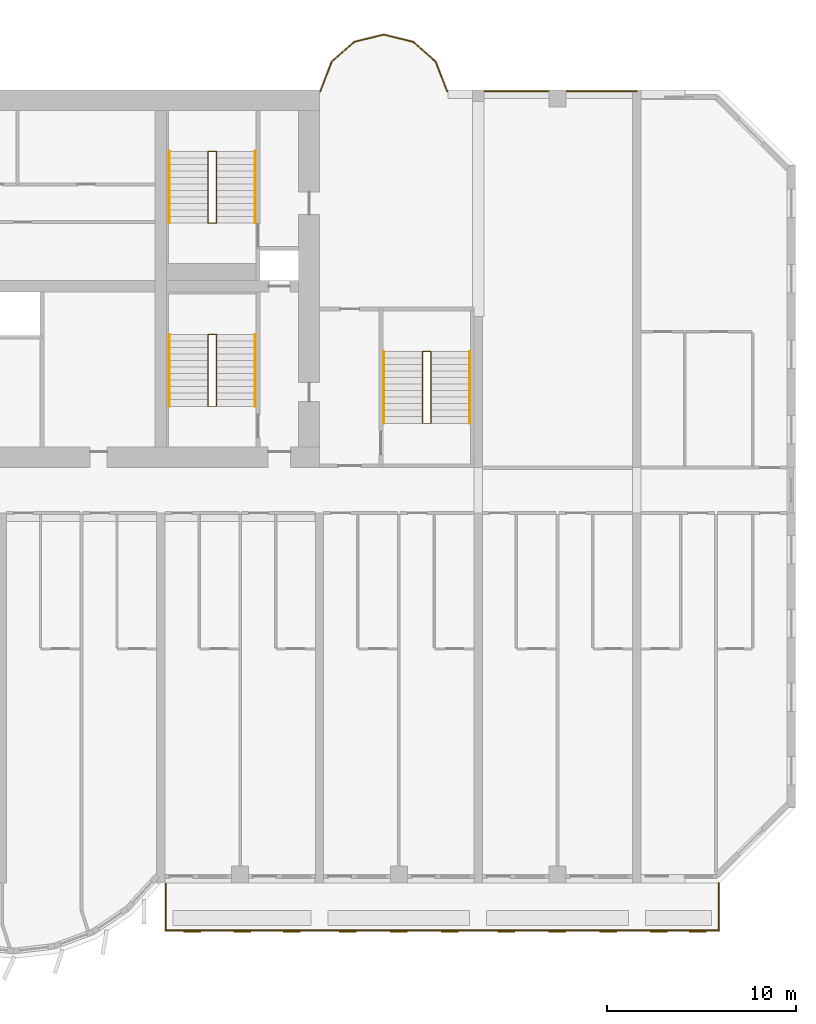
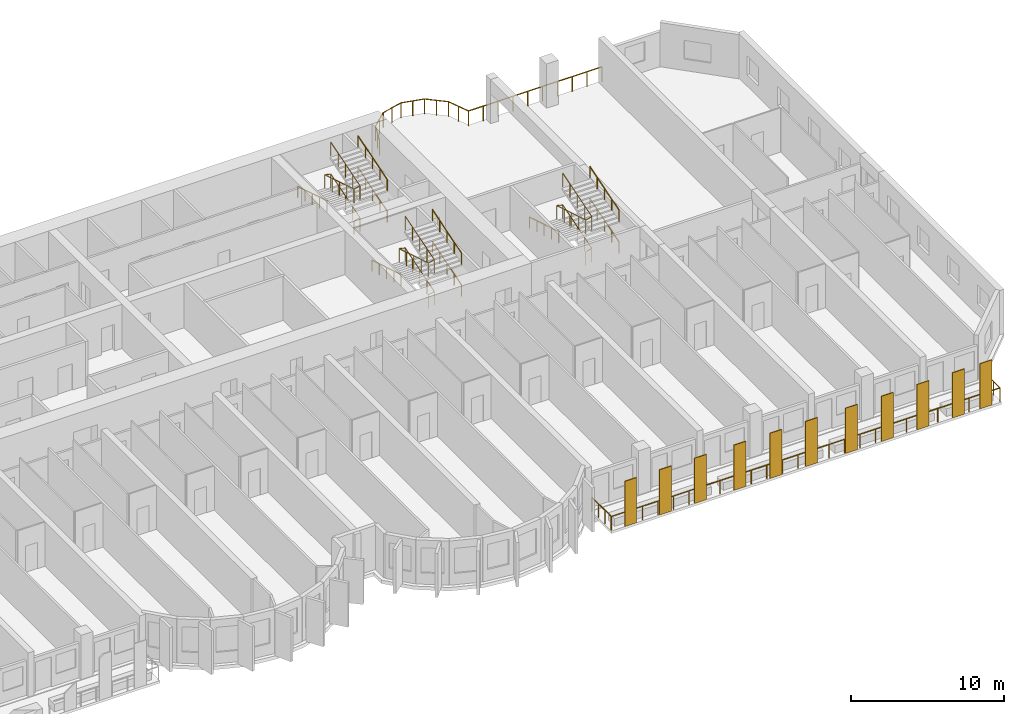
# One storey, part 13 of 14: 14 railings, 11 coverings.
"""IFC4 building model written with IfcOpenShell, lengths in metres."""

import ifcopenshell
import ifcopenshell.guid

model = None  # the IFC model being written
_history = None  # IfcOwnerHistory: only IFC2X3 demands one
_inside = {}  # id of a spatial element -> (the spatial element, [elements in it])
_under = {}  # id of a project, library or spatial element -> (it, [spatial elements below it])
_declared = {}  # id of a project -> (the project, [libraries it declares])
_typed = {}  # id of a type object -> (the type object, [elements of that type])
_made_of = {}  # id of a material, layer set ... -> (it, [elements and type objects made of it])


def new_model(schema):
    """Start an empty IFC model of exactly this schema.

    Asked for "IFC4X3", IfcOpenShell would pick the latest addendum, in which some entities
    have other attributes; the version numbers below select the first issue.
    IFC2X3 requires an IfcOwnerHistory on every rooted entity: one is made here for all.
    """
    global model, _history
    if schema == "IFC4X3":
        model = ifcopenshell.file(schema_version=(4, 3, 0, 0))
    else:
        model = ifcopenshell.file(schema=schema)
    _inside.clear()
    _under.clear()
    _declared.clear()
    _typed.clear()
    _made_of.clear()
    _history = None
    if model.schema == "IFC2X3":
        org = make("IfcOrganization", Name="unknown")
        user = make(
            "IfcPersonAndOrganization",
            ThePerson=make("IfcPerson", FamilyName="unknown"),
            TheOrganization=org,
        )
        app = make(
            "IfcApplication",
            ApplicationDeveloper=org,
            Version="unknown",
            ApplicationFullName="unknown",
            ApplicationIdentifier="unknown",
        )
        _history = make(
            "IfcOwnerHistory",
            OwningUser=user,
            OwningApplication=app,
            ChangeAction="ADDED",
            CreationDate=0,
        )
    return model


def make(cls, **values):
    """One entity of the class cls with the attributes given. An attribute that is None is left unset."""
    return model.create_entity(
        cls, **{name: value for name, value in values.items() if value is not None}
    )


def rooted(cls, **values):
    """An entity with a GlobalId (a new one), such as an element, a storey or a relation."""
    return make(cls, GlobalId=ifcopenshell.guid.new(), OwnerHistory=_history, **values)


def si_unit(unit_type, name, prefix=None):
    """IfcSIUnit, for example si_unit("LENGTHUNIT", "METRE", prefix="MILLI")."""
    return make("IfcSIUnit", UnitType=unit_type, Prefix=prefix, Name=name)


def assignment(units):
    """IfcUnitAssignment: the units of a project."""
    return None if units is None else make("IfcUnitAssignment", Units=units)


def point(xyz):
    """IfcCartesianPoint."""
    return None if xyz is None else make("IfcCartesianPoint", Coordinates=xyz)


def direction(xyz):
    """IfcDirection."""
    return None if xyz is None else make("IfcDirection", DirectionRatios=xyz)


def frame(location, z_axis=None, x_axis=None):
    """IfcAxis2Placement3D, a coordinate frame: its origin and axes. An axis left out is left unset."""
    return make(
        "IfcAxis2Placement3D",
        Location=point(location),
        Axis=direction(z_axis),
        RefDirection=direction(x_axis),
    )


def frame_2d(location, x_axis=None):
    """IfcAxis2Placement2D, a coordinate frame in the plane: its origin and x axis."""
    return make(
        "IfcAxis2Placement2D", Location=point(location), RefDirection=direction(x_axis)
    )


def origin():
    """The frame at (0, 0, 0) with its axes left unset."""
    return frame((0.0, 0.0, 0.0))


def origin_2d():
    """The frame at (0, 0) in the plane with its x axis left unset."""
    return frame_2d((0.0, 0.0))


def place(relative_to, where):
    """IfcLocalPlacement: puts the frame where relative to a parent placement (None: the world)."""
    return make(
        "IfcLocalPlacement", PlacementRelTo=relative_to, RelativePlacement=where
    )


def context(
    kind, dimensions, precision=None, world=None, true_north=None, identifier=None
):
    """IfcGeometricRepresentationContext, for example the 3D "Model" context."""
    return make(
        "IfcGeometricRepresentationContext",
        ContextIdentifier=identifier,
        ContextType=kind,
        CoordinateSpaceDimension=dimensions,
        Precision=precision,
        WorldCoordinateSystem=world,
        TrueNorth=true_north,
    )


def subcontext(parent, identifier, kind, view, scale=None):
    """IfcGeometricRepresentationSubContext, for example "Body" below "Model"."""
    return make(
        "IfcGeometricRepresentationSubContext",
        ContextIdentifier=identifier,
        ContextType=kind,
        ParentContext=parent,
        TargetScale=scale,
        TargetView=view,
    )


def project(units=None, contexts=None):
    """IfcProject with its units and contexts."""
    return rooted(
        "IfcProject",
        Name="project",
        RepresentationContexts=contexts,
        UnitsInContext=assignment(units),
    )


def spatial(cls, under=None, at=None, **own):
    """A site, building, storey or space (cls), placed at a placement, below another one or the project."""
    s = rooted(cls, ObjectPlacement=at, **own)
    if under is not None:
        _under.setdefault(under.id(), (under, []))[1].append(s)
    return s


def profile(cls, at=None, kind="AREA", **sizes):
    """A parametric profile (cls). Its sizes go by their IFC names, for example OverallWidth=200.0."""
    return make(cls, ProfileType=kind, Position=at, **sizes)


def rectangle(**sizes):
    """IfcRectangleProfileDef."""
    return profile("IfcRectangleProfileDef", **sizes)


def circle(**sizes):
    """IfcCircleProfileDef."""
    return profile("IfcCircleProfileDef", **sizes)


def extrude(swept, where, along, depth):
    """IfcExtrudedAreaSolid: the profile swept, set in the frame where, extruded along a direction by depth."""
    return make(
        "IfcExtrudedAreaSolid",
        SweptArea=swept,
        Position=where,
        ExtrudedDirection=direction(along),
        Depth=depth,
    )


def shape(context_of_items, identifier, shape_type, items):
    """IfcShapeRepresentation: the items that make up one representation, for example the "Body"."""
    return make(
        "IfcShapeRepresentation",
        ContextOfItems=context_of_items,
        RepresentationIdentifier=identifier,
        RepresentationType=shape_type,
        Items=items,
    )


def source(mapping_origin, context_of_items, identifier, shape_type, items):
    """IfcRepresentationMap: a shape defined once, which mapped items show again and again."""
    return make(
        "IfcRepresentationMap",
        MappingOrigin=mapping_origin,
        MappedRepresentation=shape(context_of_items, identifier, shape_type, items),
    )


def transform(
    local_origin,
    x_axis=None,
    y_axis=None,
    z_axis=None,
    scale=None,
    scale2=None,
    scale3=None,
    uniform=True,
):
    """IfcCartesianTransformationOperator3D, or its non-uniform kind. x_axis, y_axis, z_axis: its Axis1, 2, 3."""
    if uniform:
        return make(
            "IfcCartesianTransformationOperator3D",
            Axis1=direction(x_axis),
            Axis2=direction(y_axis),
            LocalOrigin=point(local_origin),
            Scale=scale,
            Axis3=direction(z_axis),
        )
    return make(
        "IfcCartesianTransformationOperator3DnonUniform",
        Axis1=direction(x_axis),
        Axis2=direction(y_axis),
        LocalOrigin=point(local_origin),
        Scale=scale,
        Axis3=direction(z_axis),
        Scale2=scale2,
        Scale3=scale3,
    )


def mapped(mapping_source, mapping_target):
    """IfcMappedItem: shows the shape of a source again, moved by a transform."""
    return make(
        "IfcMappedItem", MappingSource=mapping_source, MappingTarget=mapping_target
    )


def material(Name=None, Category=None):
    """IfcMaterial."""
    return make("IfcMaterial", Name=Name, Category=Category)


def layer(
    of_material, thickness, ventilated=None, Name=None, Category=None, Priority=None
):
    """IfcMaterialLayer: one layer of a wall or slab, of a material (None: an air gap)."""
    return make(
        "IfcMaterialLayer",
        Material=of_material,
        LayerThickness=thickness,
        IsVentilated=ventilated,
        Name=Name,
        Category=Category,
        Priority=Priority,
    )


def layer_set(layers, Name=None):
    """IfcMaterialLayerSet."""
    return make("IfcMaterialLayerSet", MaterialLayers=layers, LayerSetName=Name)


def made_of(thing, what):
    """Note that an element or type object is made of a material, layer set ...; save() writes the relation."""
    if what is not None:
        _made_of.setdefault(what.id(), (what, []))[1].append(thing)
    return thing


def type_object(cls, material=None, **own):
    """A type object (cls), such as IfcWallType, which elements share."""
    return made_of(rooted(cls, **own), material)


def element(
    cls,
    number,
    at=None,
    inside=None,
    cuts=None,
    type_object=None,
    material=None,
    context=None,
    identifier="Body",
    shape_type=None,
    held_by="IfcProductDefinitionShape",
    body=None,
    shapes=None,
    **own,
):
    """One element of the class cls, such as IfcWall. Its Tag is "e" and its number.

    at: its placement. inside: the storey or other place that contains it. cuts: it is an
    opening in that element (IfcRelVoidsElement). A single representation is given by context,
    identifier, shape_type and body (its items); several are given by shapes. held_by: the class
    of the entity that holds the representations. save() writes the other relations.
    """
    e = rooted(cls, Tag="e%d" % number, ObjectPlacement=at, **own)
    if body is not None:
        shapes = [shape(context, identifier, shape_type, body)]
    if shapes is not None:
        e.Representation = make(held_by, Representations=shapes)
    if inside is not None:
        _inside.setdefault(inside.id(), (inside, []))[1].append(e)
    if cuts is not None:
        rooted(
            "IfcRelVoidsElement", RelatingBuildingElement=cuts, RelatedOpeningElement=e
        )
    if type_object is not None:
        _typed.setdefault(type_object.id(), (type_object, []))[1].append(e)
    return made_of(e, material)


def aggregate(whole, parts):
    """IfcRelAggregates: a whole, such as a stair, and the parts it consists of."""
    return rooted("IfcRelAggregates", RelatingObject=whole, RelatedObjects=parts)


def save(model, path):
    """Write the relations noted so far, then the file.

    IfcRelAggregates (storeys below a building ...), IfcRelContainedInSpatialStructure (elements
    in a storey), IfcRelDefinesByType, IfcRelAssociatesMaterial and IfcRelDeclares: one each for
    every whole, place, type object, material and project.
    """
    for whole, parts in _under.values():
        aggregate(whole, parts)
    for where, things in _inside.values():
        rooted(
            "IfcRelContainedInSpatialStructure",
            RelatedElements=things,
            RelatingStructure=where,
        )
    for kind, things in _typed.values():
        rooted("IfcRelDefinesByType", RelatedObjects=things, RelatingType=kind)
    for what, things in _made_of.values():
        rooted("IfcRelAssociatesMaterial", RelatedObjects=things, RelatingMaterial=what)
    for by, libraries in _declared.values():
        rooted("IfcRelDeclares", RelatingContext=by, RelatedDefinitions=libraries)
    model.write(path)


model = new_model("IFC4")

# Units and contexts
model_context = context("Model", 3, precision=1e-05, world=origin(), true_north=direction((0.0, 1.0)))
body_context = subcontext(model_context, "Body", "Model", "MODEL_VIEW")
ifc_project = project(units=[si_unit("LENGTHUNIT", "METRE"), si_unit("AREAUNIT", "SQUARE_METRE"), si_unit("VOLUMEUNIT", "CUBIC_METRE"), si_unit("PLANEANGLEUNIT", "RADIAN"), si_unit("MASSUNIT", "GRAM", prefix="KILO")], contexts=[model_context])

# Site, building, storey
site_placement = place(None, origin())
site = spatial("IfcSite", under=ifc_project, at=site_placement, CompositionType="ELEMENT")
building_placement = place(site_placement, origin())
building = spatial("IfcBuilding", under=site, at=building_placement, Name="Vanashikhar Sky Hotel", CompositionType="ELEMENT")
storey_placement = place(building_placement, frame((0.0, 0.0, 27.800048828125)))
storey = spatial("IfcBuildingStorey", under=building, at=storey_placement, Name="L05", CompositionType="ELEMENT", Elevation=27.800048828125)

# Railing
ifc_material_1 = material(Name="Stainless steel 316", Category="steel")
railing_type_1 = type_object("IfcRailingType", Name="Balcony guard 1100", PredefinedType="GUARDRAIL", material=ifc_material_1)
shared_shape_1 = source(origin(), body_context, "Body", "SweptSolid", [
    extrude(circle(Radius=0.02392578125, at=origin_2d()), frame((0.0, 0.0, 1.076171875), z_axis=(0.0, -1.0, 0.0), x_axis=(1.0, 0.0, 0.0)), (0.0, 0.0, 1.0), 2.5),
    extrude(circle(Radius=0.02392578125, at=origin_2d()), frame((0.0, -2.5, 1.076171875), z_axis=(1.0, 0.0, 0.0), x_axis=(0.0, 1.0, 0.0)), (0.0, 0.0, 1.0), 29.280029296875),
    extrude(circle(Radius=0.02392578125, at=origin_2d()), frame((29.280029296875, -2.5, 1.076171875), z_axis=(0.0, 1.0, 0.0), x_axis=(-1.0, 0.0, 0.0)), (0.0, 0.0, 1.0), 2.5),
    extrude(circle(Radius=0.02099609375, at=origin_2d()), origin(), (0.0, 0.0, 1.0), 1.052001953125),
    extrude(circle(Radius=0.02099609375, at=origin_2d()), frame((0.0, -0.833251953125, 0.0)), (0.0, 0.0, 1.0), 1.052001953125),
    extrude(circle(Radius=0.02099609375, at=origin_2d()), frame((0.0, -1.666748046875, 0.0)), (0.0, 0.0, 1.0), 1.052001953125),
    extrude(circle(Radius=0.02099609375, at=origin_2d()), frame((0.0, -2.5, 0.0)), (0.0, 0.0, 1.0), 1.052001953125),
    extrude(circle(Radius=0.02099609375, at=origin_2d()), frame((1.171142578125, -2.5, 0.0)), (0.0, 0.0, 1.0), 1.052001953125),
    extrude(circle(Radius=0.02099609375, at=origin_2d()), frame((2.34228515625, -2.5, 0.0)), (0.0, 0.0, 1.0), 1.052001953125),
    extrude(circle(Radius=0.02099609375, at=origin_2d()), frame((3.513671875, -2.5, 0.0)), (0.0, 0.0, 1.0), 1.052001953125),
    extrude(circle(Radius=0.02099609375, at=origin_2d()), frame((4.684814453125, -2.5, 0.0)), (0.0, 0.0, 1.0), 1.052001953125),
    extrude(circle(Radius=0.02099609375, at=origin_2d()), frame((5.85595703125, -2.5, 0.0)), (0.0, 0.0, 1.0), 1.052001953125),
    extrude(circle(Radius=0.02099609375, at=origin_2d()), frame((7.027099609375, -2.5, 0.0)), (0.0, 0.0, 1.0), 1.052001953125),
    extrude(circle(Radius=0.02099609375, at=origin_2d()), frame((8.198486328125, -2.5, 0.0)), (0.0, 0.0, 1.0), 1.052001953125),
    extrude(circle(Radius=0.02099609375, at=origin_2d()), frame((9.36962890625, -2.5, 0.0)), (0.0, 0.0, 1.0), 1.052001953125),
    extrude(circle(Radius=0.02099609375, at=origin_2d()), frame((10.540771484375, -2.5, 0.0)), (0.0, 0.0, 1.0), 1.052001953125),
    extrude(circle(Radius=0.02099609375, at=origin_2d()), frame((11.7119140625, -2.5, 0.0)), (0.0, 0.0, 1.0), 1.052001953125),
    extrude(circle(Radius=0.02099609375, at=origin_2d()), frame((12.88330078125, -2.5, 0.0)), (0.0, 0.0, 1.0), 1.052001953125),
    extrude(circle(Radius=0.02099609375, at=origin_2d()), frame((14.054443359375, -2.5, 0.0)), (0.0, 0.0, 1.0), 1.052001953125),
    extrude(circle(Radius=0.02099609375, at=origin_2d()), frame((15.2255859375, -2.5, 0.0)), (0.0, 0.0, 1.0), 1.052001953125),
    extrude(circle(Radius=0.02099609375, at=origin_2d()), frame((16.396728515625, -2.5, 0.0)), (0.0, 0.0, 1.0), 1.052001953125),
    extrude(circle(Radius=0.02099609375, at=origin_2d()), frame((17.568115234375, -2.5, 0.0)), (0.0, 0.0, 1.0), 1.052001953125),
    extrude(circle(Radius=0.02099609375, at=origin_2d()), frame((18.7392578125, -2.5, 0.0)), (0.0, 0.0, 1.0), 1.052001953125),
    extrude(circle(Radius=0.02099609375, at=origin_2d()), frame((19.910400390625, -2.5, 0.0)), (0.0, 0.0, 1.0), 1.052001953125),
    extrude(circle(Radius=0.02099609375, at=origin_2d()), frame((21.08154296875, -2.5, 0.0)), (0.0, 0.0, 1.0), 1.052001953125),
    extrude(circle(Radius=0.02099609375, at=origin_2d()), frame((22.2529296875, -2.5, 0.0)), (0.0, 0.0, 1.0), 1.052001953125),
    extrude(circle(Radius=0.02099609375, at=origin_2d()), frame((23.424072265625, -2.5, 0.0)), (0.0, 0.0, 1.0), 1.052001953125),
    extrude(circle(Radius=0.02099609375, at=origin_2d()), frame((24.59521484375, -2.5, 0.0)), (0.0, 0.0, 1.0), 1.052001953125),
    extrude(circle(Radius=0.02099609375, at=origin_2d()), frame((25.766357421875, -2.5, 0.0)), (0.0, 0.0, 1.0), 1.052001953125),
    extrude(circle(Radius=0.02099609375, at=origin_2d()), frame((26.937744140625, -2.5, 0.0)), (0.0, 0.0, 1.0), 1.052001953125),
    extrude(circle(Radius=0.02099609375, at=origin_2d()), frame((28.10888671875, -2.5, 0.0)), (0.0, 0.0, 1.0), 1.052001953125),
    extrude(circle(Radius=0.02099609375, at=origin_2d()), frame((29.280029296875, -2.5, 0.0)), (0.0, 0.0, 1.0), 1.052001953125),
    extrude(circle(Radius=0.02099609375, at=origin_2d()), frame((29.280029296875, -1.666748046875, 0.0)), (0.0, 0.0, 1.0), 1.052001953125),
    extrude(circle(Radius=0.02099609375, at=origin_2d()), frame((29.280029296875, -0.833251953125, 0.0)), (0.0, 0.0, 1.0), 1.052001953125),
    extrude(circle(Radius=0.02099609375, at=origin_2d()), frame((29.280029296875, 0.0, 0.0)), (0.0, 0.0, 1.0), 1.052001953125),
])
railing_1_placement = place(storey_placement, frame((67.4599609375, 0.0, -0.050048828125)))
element("IfcRailing", 1, at=railing_1_placement, inside=storey, type_object=railing_type_1, Name="Balcony guard", PredefinedType="GUARDRAIL", context=body_context, shape_type="MappedRepresentation", body=[
    mapped(shared_shape_1, transform((0.0, 0.0, 0.0), scale=1.0)),
])

# Coverings
ifc_material_2 = material(Name="Terracotta", Category="masonry")
ifc_layer = layer(ifc_material_2, 0.06005859375)
ifc_layer_set = layer_set([ifc_layer], Name="Terracotta baguette screen")
covering_type = type_object("IfcCoveringType", Name="Terracotta baguette screen", PredefinedType="CLADDING", material=ifc_layer_set)
shared_shape_2 = source(origin(), body_context, "Body", "SweptSolid", [
    extrude(rectangle(XDim=0.89990234375, YDim=0.06005859375, at=origin_2d()), origin(), (0.0, 0.0, 1.0), 3.60009765625),
])
for number, where, z_axis, x_axis, name in (
    (2, (68.86669921875, -2.570068359375, -0.050048828125), (0.0, 0.0, 1.0), (1.0, 0.0, 0.0), "Terracotta screen"),
    (3, (71.5, -2.570068359375, -0.050048828125), (0.0, 0.0, 1.0), (1.0, 0.0, 0.0), "Terracotta screen"),
    (4, (74.13330078125, -2.570068359375, -0.050048828125), (0.0, 0.0, 1.0), (1.0, 0.0, 0.0), "Terracotta screen"),
    (5, (77.10009765625, -2.570068359375, -0.050048828125), (0.0, 0.0, 1.0), (1.0, 0.0, 0.0), "Terracotta screen"),
    (6, (79.800048828125, -2.570068359375, -0.050048828125), (0.0, 0.0, 1.0), (1.0, 0.0, 0.0), "Terracotta screen"),
    (7, (82.5, -2.570068359375, -0.050048828125), (0.0, 0.0, 1.0), (1.0, 0.0, 0.0), "Terracotta screen"),
    (8, (85.5, -2.570068359375, -0.050048828125), (0.0, 0.0, 1.0), (1.0, 0.0, 0.0), "Terracotta screen"),
    (9, (88.199951171875, -2.570068359375, -0.050048828125), (0.0, 0.0, 1.0), (1.0, 0.0, 0.0), "Terracotta screen"),
    (10, (90.89990234375, -2.570068359375, -0.050048828125), (0.0, 0.0, 1.0), (1.0, 0.0, 0.0), "Terracotta screen"),
    (11, (93.574951171875, -2.570068359375, -0.050048828125), (0.0, 0.0, 1.0), (1.0, 0.0, 0.0), "Terracotta screen"),
    (12, (95.625, -2.570068359375, -0.050048828125), (0.0, 0.0, 1.0), (1.0, 0.0, 0.0), "Terracotta screen"),
):
    element("IfcCovering", number, at=place(storey_placement, frame(where, z_axis=z_axis, x_axis=x_axis)), inside=storey, type_object=covering_type, Name=name, PredefinedType="CLADDING", context=body_context, shape_type="MappedRepresentation", body=[
        mapped(shared_shape_2, transform((0.0, 0.0, 0.0), scale=1.0)),
    ])

# Railings
railing_type_2 = type_object("IfcRailingType", Name="Refuge terrace guard 1200", PredefinedType="GUARDRAIL", material=ifc_material_1)
shared_shape_3 = source(origin(), body_context, "Body", "SweptSolid", [
    extrude(circle(Radius=0.02392578125, at=origin_2d()), frame((0.0, 0.0, 1.17578125), z_axis=(-1.0, 0.0, 0.0), x_axis=(0.0, -1.0, 0.0)), (0.0, 0.0, 1.0), 10.048095703125),
    extrude(circle(Radius=0.02392578125, at=origin_2d()), frame((-10.048095703125, 0.0, 1.17578125), z_axis=(-0.357682612009, 0.933843214392, 0.0), x_axis=(-0.933843214392, -0.357682612009, 0.0)), (0.0, 0.0, 1.0), 1.666015625),
    extrude(circle(Radius=0.02392578125, at=origin_2d()), frame((-10.64404296875, 1.555908203125, 1.17578125), z_axis=(-0.749699987355, 0.661777854692, 0.0), x_axis=(-0.661777854692, -0.749699987355, 0.0)), (0.0, 0.0, 1.0), 1.602294921875),
    extrude(circle(Radius=0.02392578125, at=origin_2d()), frame((-11.84521484375, 2.6162109375, 1.17578125), z_axis=(-0.971138901218, 0.238514642196, 0.0), x_axis=(-0.238514642196, -0.971138901218, 0.0)), (0.0, 0.0, 1.0), 1.600830078125),
    extrude(circle(Radius=0.02392578125, at=origin_2d()), frame((-13.39990234375, 2.998046875, 1.17578125), z_axis=(-0.971138901218, -0.238514642196, 0.0), x_axis=(0.238514642196, -0.971138901218, 0.0)), (0.0, 0.0, 1.0), 1.600830078125),
    extrude(circle(Radius=0.02392578125, at=origin_2d()), frame((-14.95458984375, 2.6162109375, 1.17578125), z_axis=(-0.749699987355, -0.661777854692, 0.0), x_axis=(0.661777854692, -0.749699987355, 0.0)), (0.0, 0.0, 1.0), 1.602294921875),
    extrude(circle(Radius=0.02392578125, at=origin_2d()), frame((-16.15576171875, 1.555908203125, 1.17578125), z_axis=(-0.357682612009, -0.933843214392, 0.0), x_axis=(0.933843214392, -0.357682612009, 0.0)), (0.0, 0.0, 1.0), 1.666015625),
    extrude(circle(Radius=0.02099609375, at=origin_2d()), origin(), (0.0, 0.0, 1.0), 1.15185546875),
    extrude(circle(Radius=0.02099609375, at=origin_2d()), frame((-1.116455078125, 0.0, 0.0)), (0.0, 0.0, 1.0), 1.15185546875),
    extrude(circle(Radius=0.02099609375, at=origin_2d()), frame((-2.23291015625, 0.0, 0.0)), (0.0, 0.0, 1.0), 1.15185546875),
    extrude(circle(Radius=0.02099609375, at=origin_2d()), frame((-3.349365234375, 0.0, 0.0)), (0.0, 0.0, 1.0), 1.15185546875),
    extrude(circle(Radius=0.02099609375, at=origin_2d()), frame((-4.4658203125, 0.0, 0.0)), (0.0, 0.0, 1.0), 1.15185546875),
    extrude(circle(Radius=0.02099609375, at=origin_2d()), frame((-5.582275390625, 0.0, 0.0)), (0.0, 0.0, 1.0), 1.15185546875),
    extrude(circle(Radius=0.02099609375, at=origin_2d()), frame((-6.69873046875, 0.0, 0.0)), (0.0, 0.0, 1.0), 1.15185546875),
    extrude(circle(Radius=0.02099609375, at=origin_2d()), frame((-7.815185546875, 0.0, 0.0)), (0.0, 0.0, 1.0), 1.15185546875),
    extrude(circle(Radius=0.02099609375, at=origin_2d()), frame((-8.931640625, 0.0, 0.0)), (0.0, 0.0, 1.0), 1.15185546875),
    extrude(circle(Radius=0.02099609375, at=origin_2d()), frame((-10.048095703125, 0.0, 0.0)), (0.0, 0.0, 1.0), 1.15185546875),
    extrude(circle(Radius=0.02099609375, at=origin_2d()), frame((-10.34619140625, 0.77783203125, 0.0)), (0.0, 0.0, 1.0), 1.15185546875),
    extrude(circle(Radius=0.02099609375, at=origin_2d()), frame((-10.64404296875, 1.555908203125, 0.0)), (0.0, 0.0, 1.0), 1.15185546875),
    extrude(circle(Radius=0.02099609375, at=origin_2d()), frame((-11.24462890625, 2.0859375, 0.0)), (0.0, 0.0, 1.0), 1.15185546875),
    extrude(circle(Radius=0.02099609375, at=origin_2d()), frame((-11.84521484375, 2.6162109375, 0.0)), (0.0, 0.0, 1.0), 1.15185546875),
    extrude(circle(Radius=0.02099609375, at=origin_2d()), frame((-12.62255859375, 2.80712890625, 0.0)), (0.0, 0.0, 1.0), 1.15185546875),
    extrude(circle(Radius=0.02099609375, at=origin_2d()), frame((-13.39990234375, 2.998046875, 0.0)), (0.0, 0.0, 1.0), 1.15185546875),
    extrude(circle(Radius=0.02099609375, at=origin_2d()), frame((-14.17724609375, 2.80712890625, 0.0)), (0.0, 0.0, 1.0), 1.15185546875),
    extrude(circle(Radius=0.02099609375, at=origin_2d()), frame((-14.95458984375, 2.6162109375, 0.0)), (0.0, 0.0, 1.0), 1.15185546875),
    extrude(circle(Radius=0.02099609375, at=origin_2d()), frame((-15.55517578125, 2.0859375, 0.0)), (0.0, 0.0, 1.0), 1.15185546875),
    extrude(circle(Radius=0.02099609375, at=origin_2d()), frame((-16.15576171875, 1.555908203125, 0.0)), (0.0, 0.0, 1.0), 1.15185546875),
    extrude(circle(Radius=0.02099609375, at=origin_2d()), frame((-16.45361328125, 0.77783203125, 0.0)), (0.0, 0.0, 1.0), 1.15185546875),
    extrude(circle(Radius=0.02099609375, at=origin_2d()), frame((-16.751708984375, 0.0, 0.0)), (0.0, 0.0, 1.0), 1.15185546875),
])
railing_2_placement = place(storey_placement, frame((92.39990234375, 41.929931640625, 0.0)))
element("IfcRailing", 13, at=railing_2_placement, inside=storey, type_object=railing_type_2, Name="Refuge terrace guard", PredefinedType="GUARDRAIL", context=body_context, shape_type="MappedRepresentation", body=[
    mapped(shared_shape_3, transform((0.0, 0.0, 0.0), scale=1.0)),
])
ifc_material_3 = material(Name="Steel S355", Category="steel")
railing_type_3 = type_object("IfcRailingType", Name="Stair handrail 900", PredefinedType="HANDRAIL", material=ifc_material_3)
shared_shape_4 = source(origin(), body_context, "Body", "SweptSolid", [
    extrude(circle(Radius=0.02392578125, at=origin_2d()), frame((0.0, 0.0, 0.8759765625), z_axis=(0.0, 0.95635109408, 0.292220096591), x_axis=(-1.0, 0.0, 0.0)), (0.0, 0.0, 1.0), 3.973388671875),
    extrude(circle(Radius=0.02099609375, at=origin_2d()), origin(), (0.0, 0.0, 1.0), 0.851806640625),
    extrude(circle(Radius=0.02099609375, at=origin_2d()), frame((0.0, 0.949951171875, 0.290283203125)), (0.0, 0.0, 1.0), 0.851806640625),
    extrude(circle(Radius=0.02099609375, at=origin_2d()), frame((0.0, 1.89990234375, 0.58056640625)), (0.0, 0.0, 1.0), 0.851806640625),
    extrude(circle(Radius=0.02099609375, at=origin_2d()), frame((0.0, 2.85009765625, 0.870849609375)), (0.0, 0.0, 1.0), 0.851806640625),
    extrude(circle(Radius=0.02099609375, at=origin_2d()), frame((0.0, 3.800048828125, 1.1611328125)), (0.0, 0.0, 1.0), 0.851806640625),
])
for number, where, name in (
    (14, (72.199951171875, 25.25, 0.10546875), "Exit stair 2 handrail"),
    (15, (72.199951171875, 25.25, 2.638916015625), "Exit stair 2 handrail"),
    (16, (72.199951171875, 34.949951171875, 0.10546875), "Exit stair 6 handrail"),
    (17, (72.199951171875, 34.949951171875, 2.638916015625), "Exit stair 6 handrail"),
):
    element("IfcRailing", number, at=place(storey_placement, frame(where)), inside=storey, type_object=railing_type_3, Name=name, PredefinedType="HANDRAIL", context=body_context, shape_type="MappedRepresentation", body=[
        mapped(shared_shape_4, transform((0.0, 0.0, 0.0), scale=1.0)),
    ])
shared_shape_5 = source(origin(), body_context, "Body", "SweptSolid", [
    extrude(circle(Radius=0.02392578125, at=origin_2d()), frame((0.0, 0.0, 0.8759765625), z_axis=(0.0, -0.95635109408, 0.292220096591), x_axis=(1.0, 0.0, 0.0)), (0.0, 0.0, 1.0), 3.973388671875),
    extrude(circle(Radius=0.02099609375, at=origin_2d()), origin(), (0.0, 0.0, 1.0), 0.851806640625),
    extrude(circle(Radius=0.02099609375, at=origin_2d()), frame((0.0, -0.949951171875, 0.290283203125)), (0.0, 0.0, 1.0), 0.851806640625),
    extrude(circle(Radius=0.02099609375, at=origin_2d()), frame((0.0, -1.89990234375, 0.58056640625)), (0.0, 0.0, 1.0), 0.851806640625),
    extrude(circle(Radius=0.02099609375, at=origin_2d()), frame((0.0, -2.85009765625, 0.870849609375)), (0.0, 0.0, 1.0), 0.851806640625),
    extrude(circle(Radius=0.02099609375, at=origin_2d()), frame((0.0, -3.800048828125, 1.1611328125)), (0.0, 0.0, 1.0), 0.851806640625),
])
for number, where, name in (
    (18, (67.64990234375, 29.050048828125, 1.3720703125), "Exit stair 2 handrail"),
    (19, (67.64990234375, 38.75, 1.3720703125), "Exit stair 6 handrail"),
):
    element("IfcRailing", number, at=place(storey_placement, frame(where)), inside=storey, type_object=railing_type_3, Name=name, PredefinedType="HANDRAIL", context=body_context, shape_type="MappedRepresentation", body=[
        mapped(shared_shape_5, transform((0.0, 0.0, 0.0), scale=1.0)),
    ])
railing_type_4 = type_object("IfcRailingType", Name="Stair guard 1100", PredefinedType="GUARDRAIL", material=ifc_material_3)
shared_shape_6 = source(origin(), body_context, "Body", "SweptSolid", [
    extrude(circle(Radius=0.02392578125, at=origin_2d()), frame((0.0, 0.0, 1.076171875), z_axis=(0.973610808694, 0.0, 0.228214796178), x_axis=(0.0, 1.0, 0.0)), (0.0, 0.0, 1.0), 0.462158203125),
    extrude(circle(Radius=0.02392578125, at=origin_2d()), frame((0.449951171875, 0.0, 1.181640625), z_axis=(0.0, 0.95635109408, 0.292220096591), x_axis=(-1.0, 0.0, 0.0)), (0.0, 0.0, 1.0), 3.973388671875),
    extrude(circle(Radius=0.02392578125, at=origin_2d()), frame((0.449951171875, 3.800048828125, 2.3427734375), z_axis=(-0.973610808694, 0.0, 0.228214796178), x_axis=(0.0, -1.0, 0.0)), (0.0, 0.0, 1.0), 0.462158203125),
    extrude(circle(Radius=0.02392578125, at=origin_2d()), frame((0.0, 3.800048828125, 2.4482421875), z_axis=(0.0, -0.95635109408, 0.292220096591), x_axis=(1.0, 0.0, 0.0)), (0.0, 0.0, 1.0), 3.973388671875),
    extrude(circle(Radius=0.02392578125, at=origin_2d()), frame((0.0, 0.0, 3.609375), z_axis=(0.973493315427, 0.0, 0.228715466945), x_axis=(0.0, 1.0, 0.0)), (0.0, 0.0, 1.0), 0.462158203125),
    extrude(circle(Radius=0.02392578125, at=origin_2d()), frame((0.449951171875, 0.0, 3.71484375), z_axis=(0.0, 0.95635109408, 0.292220096591), x_axis=(-1.0, 0.0, 0.0)), (0.0, 0.0, 1.0), 3.973388671875),
    extrude(circle(Radius=0.02099609375, at=origin_2d()), origin(), (0.0, 0.0, 1.0), 1.052001953125),
    extrude(circle(Radius=0.02099609375, at=origin_2d()), frame((0.449951171875, 0.0, 0.10546875)), (0.0, 0.0, 1.0), 1.052001953125),
    extrude(circle(Radius=0.02099609375, at=origin_2d()), frame((0.449951171875, 0.949951171875, 0.395751953125)), (0.0, 0.0, 1.0), 1.052001953125),
    extrude(circle(Radius=0.02099609375, at=origin_2d()), frame((0.449951171875, 1.89990234375, 0.68603515625)), (0.0, 0.0, 1.0), 1.052001953125),
    extrude(circle(Radius=0.02099609375, at=origin_2d()), frame((0.449951171875, 2.85009765625, 0.976318359375)), (0.0, 0.0, 1.0), 1.052001953125),
    extrude(circle(Radius=0.02099609375, at=origin_2d()), frame((0.449951171875, 3.800048828125, 1.2666015625)), (0.0, 0.0, 1.0), 1.052001953125),
    extrude(circle(Radius=0.02099609375, at=origin_2d()), frame((0.0, 3.800048828125, 1.3720703125)), (0.0, 0.0, 1.0), 1.052001953125),
    extrude(circle(Radius=0.02099609375, at=origin_2d()), frame((0.0, 2.85009765625, 1.662353515625)), (0.0, 0.0, 1.0), 1.052001953125),
    extrude(circle(Radius=0.02099609375, at=origin_2d()), frame((0.0, 1.89990234375, 1.95263671875)), (0.0, 0.0, 1.0), 1.052001953125),
    extrude(circle(Radius=0.02099609375, at=origin_2d()), frame((0.0, 0.949951171875, 2.242919921875)), (0.0, 0.0, 1.0), 1.052001953125),
    extrude(circle(Radius=0.02099609375, at=origin_2d()), frame((0.0, 0.0, 2.533203125)), (0.0, 0.0, 1.0), 1.052001953125),
    extrude(circle(Radius=0.02099609375, at=origin_2d()), frame((0.449951171875, 0.0, 2.638916015625)), (0.0, 0.0, 1.0), 1.052001953125),
    extrude(circle(Radius=0.02099609375, at=origin_2d()), frame((0.449951171875, 0.949951171875, 2.92919921875)), (0.0, 0.0, 1.0), 1.052001953125),
    extrude(circle(Radius=0.02099609375, at=origin_2d()), frame((0.449951171875, 1.89990234375, 3.219482421875)), (0.0, 0.0, 1.0), 1.052001953125),
    extrude(circle(Radius=0.02099609375, at=origin_2d()), frame((0.449951171875, 2.85009765625, 3.509765625)), (0.0, 0.0, 1.0), 1.052001953125),
    extrude(circle(Radius=0.02099609375, at=origin_2d()), frame((0.449951171875, 3.800048828125, 3.800048828125)), (0.0, 0.0, 1.0), 1.052001953125),
])
for number, where, name in (
    (20, (69.699951171875, 25.25, 0.0), "Exit stair 2 guard"),
    (21, (69.699951171875, 34.949951171875, 0.0), "Exit stair 6 guard"),
):
    element("IfcRailing", number, at=place(storey_placement, frame(where)), inside=storey, type_object=railing_type_4, Name=name, PredefinedType="GUARDRAIL", context=body_context, shape_type="MappedRepresentation", body=[
        mapped(shared_shape_6, transform((0.0, 0.0, 0.0), scale=1.0)),
    ])
shared_shape_7 = source(origin(), body_context, "Body", "SweptSolid", [
    extrude(circle(Radius=0.02392578125, at=origin_2d()), frame((0.0, 0.0, 1.076171875), z_axis=(0.973610808694, 0.0, 0.228214796178), x_axis=(0.0, 1.0, 0.0)), (0.0, 0.0, 1.0), 0.462158203125),
    extrude(circle(Radius=0.02392578125, at=origin_2d()), frame((0.449951171875, 0.0, 1.181640625), z_axis=(0.0, 0.956345846891, 0.292237268557), x_axis=(-1.0, 0.0, 0.0)), (0.0, 0.0, 1.0), 3.97314453125),
    extrude(circle(Radius=0.02392578125, at=origin_2d()), frame((0.449951171875, 3.7998046875, 2.3427734375), z_axis=(-0.973610808694, 0.0, 0.228214796178), x_axis=(0.0, -1.0, 0.0)), (0.0, 0.0, 1.0), 0.462158203125),
    extrude(circle(Radius=0.02392578125, at=origin_2d()), frame((0.0, 3.7998046875, 2.4482421875), z_axis=(0.0, -0.956345846891, 0.292237268557), x_axis=(1.0, 0.0, 0.0)), (0.0, 0.0, 1.0), 3.97314453125),
    extrude(circle(Radius=0.02392578125, at=origin_2d()), frame((0.0, 0.0, 3.609375), z_axis=(0.973493315427, 0.0, 0.228715466945), x_axis=(0.0, 1.0, 0.0)), (0.0, 0.0, 1.0), 0.462158203125),
    extrude(circle(Radius=0.02392578125, at=origin_2d()), frame((0.449951171875, 0.0, 3.71484375), z_axis=(0.0, 0.956345846891, 0.292237268557), x_axis=(-1.0, 0.0, 0.0)), (0.0, 0.0, 1.0), 3.97314453125),
    extrude(circle(Radius=0.02099609375, at=origin_2d()), origin(), (0.0, 0.0, 1.0), 1.052001953125),
    extrude(circle(Radius=0.02099609375, at=origin_2d()), frame((0.449951171875, 0.0, 0.10546875)), (0.0, 0.0, 1.0), 1.052001953125),
    extrude(circle(Radius=0.02099609375, at=origin_2d()), frame((0.449951171875, 0.949951171875, 0.395751953125)), (0.0, 0.0, 1.0), 1.052001953125),
    extrude(circle(Radius=0.02099609375, at=origin_2d()), frame((0.449951171875, 1.89990234375, 0.68603515625)), (0.0, 0.0, 1.0), 1.052001953125),
    extrude(circle(Radius=0.02099609375, at=origin_2d()), frame((0.449951171875, 2.849853515625, 0.976318359375)), (0.0, 0.0, 1.0), 1.052001953125),
    extrude(circle(Radius=0.02099609375, at=origin_2d()), frame((0.449951171875, 3.7998046875, 1.2666015625)), (0.0, 0.0, 1.0), 1.052001953125),
    extrude(circle(Radius=0.02099609375, at=origin_2d()), frame((0.0, 3.7998046875, 1.3720703125)), (0.0, 0.0, 1.0), 1.052001953125),
    extrude(circle(Radius=0.02099609375, at=origin_2d()), frame((0.0, 2.849853515625, 1.662353515625)), (0.0, 0.0, 1.0), 1.052001953125),
    extrude(circle(Radius=0.02099609375, at=origin_2d()), frame((0.0, 1.89990234375, 1.95263671875)), (0.0, 0.0, 1.0), 1.052001953125),
    extrude(circle(Radius=0.02099609375, at=origin_2d()), frame((0.0, 0.949951171875, 2.242919921875)), (0.0, 0.0, 1.0), 1.052001953125),
    extrude(circle(Radius=0.02099609375, at=origin_2d()), frame((0.0, 0.0, 2.533203125)), (0.0, 0.0, 1.0), 1.052001953125),
    extrude(circle(Radius=0.02099609375, at=origin_2d()), frame((0.449951171875, 0.0, 2.638916015625)), (0.0, 0.0, 1.0), 1.052001953125),
    extrude(circle(Radius=0.02099609375, at=origin_2d()), frame((0.449951171875, 0.949951171875, 2.92919921875)), (0.0, 0.0, 1.0), 1.052001953125),
    extrude(circle(Radius=0.02099609375, at=origin_2d()), frame((0.449951171875, 1.89990234375, 3.219482421875)), (0.0, 0.0, 1.0), 1.052001953125),
    extrude(circle(Radius=0.02099609375, at=origin_2d()), frame((0.449951171875, 2.849853515625, 3.509765625)), (0.0, 0.0, 1.0), 1.052001953125),
    extrude(circle(Radius=0.02099609375, at=origin_2d()), frame((0.449951171875, 3.7998046875, 3.800048828125)), (0.0, 0.0, 1.0), 1.052001953125),
])
railing_3_placement = place(storey_placement, frame((81.050048828125, 24.35009765625, 0.0)))
element("IfcRailing", 22, at=railing_3_placement, inside=storey, type_object=railing_type_4, Name="Exit stair 4 guard", PredefinedType="GUARDRAIL", context=body_context, shape_type="MappedRepresentation", body=[
    mapped(shared_shape_7, transform((0.0, 0.0, 0.0), scale=1.0)),
])
shared_shape_8 = source(origin(), body_context, "Body", "SweptSolid", [
    extrude(circle(Radius=0.02392578125, at=origin_2d()), frame((0.0, 0.0, 0.8759765625), z_axis=(0.0, 0.956345846891, 0.292237268557), x_axis=(-1.0, 0.0, 0.0)), (0.0, 0.0, 1.0), 3.97314453125),
    extrude(circle(Radius=0.02099609375, at=origin_2d()), origin(), (0.0, 0.0, 1.0), 0.851806640625),
    extrude(circle(Radius=0.02099609375, at=origin_2d()), frame((0.0, 0.949951171875, 0.290283203125)), (0.0, 0.0, 1.0), 0.851806640625),
    extrude(circle(Radius=0.02099609375, at=origin_2d()), frame((0.0, 1.89990234375, 0.58056640625)), (0.0, 0.0, 1.0), 0.851806640625),
    extrude(circle(Radius=0.02099609375, at=origin_2d()), frame((0.0, 2.849853515625, 0.870849609375)), (0.0, 0.0, 1.0), 0.851806640625),
    extrude(circle(Radius=0.02099609375, at=origin_2d()), frame((0.0, 3.7998046875, 1.1611328125)), (0.0, 0.0, 1.0), 0.851806640625),
])
for number, where, name in (
    (23, (83.550048828125, 24.35009765625, 0.10546875), "Exit stair 4 handrail"),
    (24, (83.550048828125, 24.35009765625, 2.638916015625), "Exit stair 4 handrail"),
):
    element("IfcRailing", number, at=place(storey_placement, frame(where)), inside=storey, type_object=railing_type_3, Name=name, PredefinedType="HANDRAIL", context=body_context, shape_type="MappedRepresentation", body=[
        mapped(shared_shape_8, transform((0.0, 0.0, 0.0), scale=1.0)),
    ])
shared_shape_9 = source(origin(), body_context, "Body", "SweptSolid", [
    extrude(circle(Radius=0.02392578125, at=origin_2d()), frame((0.0, 0.0, 0.8759765625), z_axis=(0.0, -0.956345846891, 0.292237268557), x_axis=(1.0, 0.0, 0.0)), (0.0, 0.0, 1.0), 3.97314453125),
    extrude(circle(Radius=0.02099609375, at=origin_2d()), origin(), (0.0, 0.0, 1.0), 0.851806640625),
    extrude(circle(Radius=0.02099609375, at=origin_2d()), frame((0.0, -0.949951171875, 0.290283203125)), (0.0, 0.0, 1.0), 0.851806640625),
    extrude(circle(Radius=0.02099609375, at=origin_2d()), frame((0.0, -1.89990234375, 0.58056640625)), (0.0, 0.0, 1.0), 0.851806640625),
    extrude(circle(Radius=0.02099609375, at=origin_2d()), frame((0.0, -2.849853515625, 0.870849609375)), (0.0, 0.0, 1.0), 0.851806640625),
    extrude(circle(Radius=0.02099609375, at=origin_2d()), frame((0.0, -3.7998046875, 1.1611328125)), (0.0, 0.0, 1.0), 0.851806640625),
])
railing_4_placement = place(storey_placement, frame((79.0, 28.14990234375, 1.3720703125)))
element("IfcRailing", 25, at=railing_4_placement, inside=storey, type_object=railing_type_3, Name="Exit stair 4 handrail", PredefinedType="HANDRAIL", context=body_context, shape_type="MappedRepresentation", body=[
    mapped(shared_shape_9, transform((0.0, 0.0, 0.0), scale=1.0)),
])

save(model, "model.ifc")
